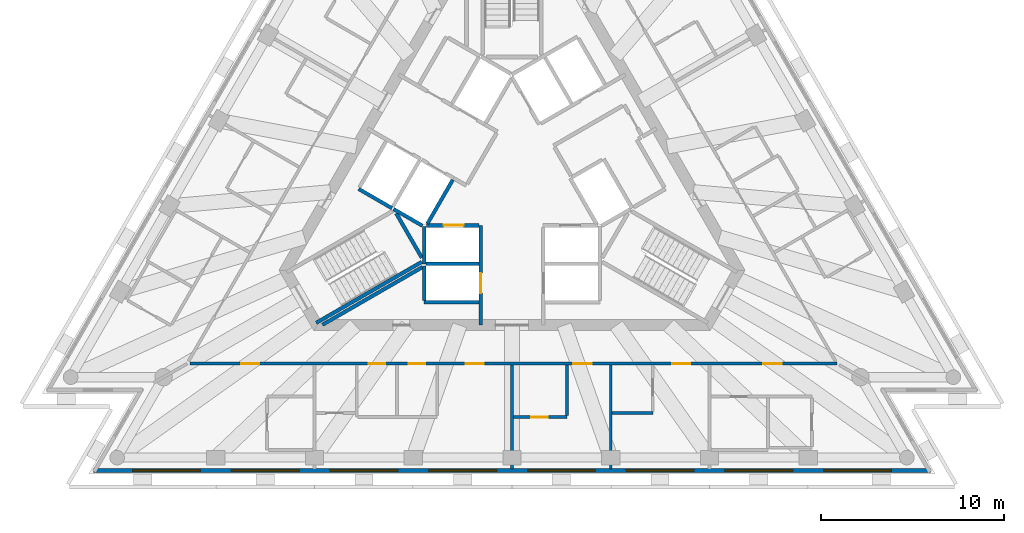
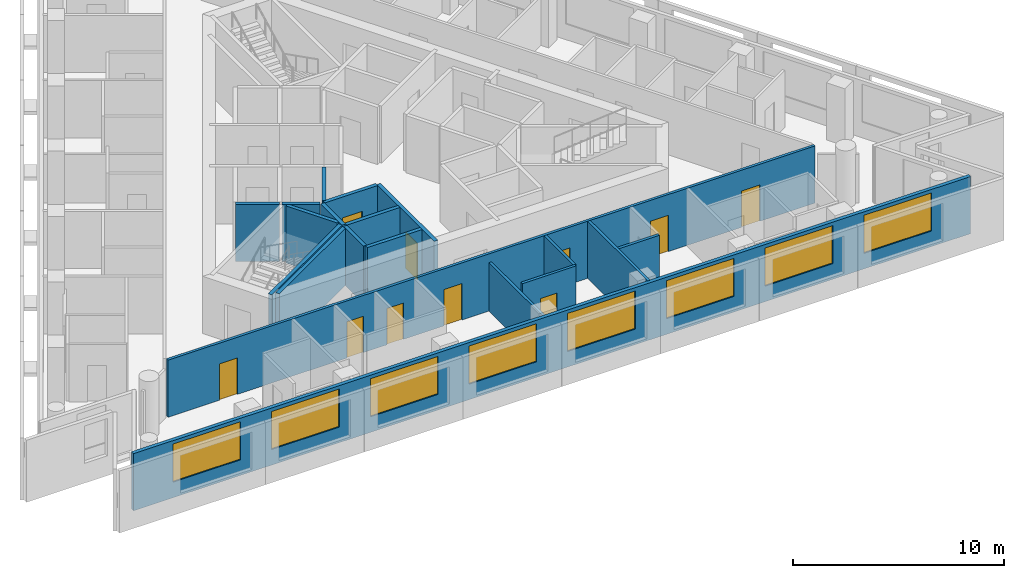
# One storey, part 3 of 10: 19 walls, 10 doors, 8 windows, 18 openings.
"""IFC4 building model written with IfcOpenShell, lengths in metres."""

from ifc_helpers import new_model, si_unit, direction, frame, frame_2d, origin, place, context, subcontext, project, spatial, rectangle, extrude, material, layer, layer_set, layer_usage, type_object, element, fill, save


model = new_model("IFC4")

# Units and contexts
model_context = context("Model", 3, precision=1e-05, world=origin(), true_north=direction((0.0, 1.0)))
body_context = subcontext(model_context, "Body", "Model", "MODEL_VIEW")
ifc_project = project(units=[si_unit("LENGTHUNIT", "METRE"), si_unit("AREAUNIT", "SQUARE_METRE"), si_unit("VOLUMEUNIT", "CUBIC_METRE"), si_unit("PLANEANGLEUNIT", "RADIAN"), si_unit("MASSUNIT", "GRAM", prefix="KILO")], contexts=[model_context])

# Site, building, storey
site_placement = place(None, origin())
site = spatial("IfcSite", under=ifc_project, at=site_placement, CompositionType="ELEMENT")
building_placement = place(site_placement, origin())
building = spatial("IfcBuilding", under=site, at=building_placement, Name="Triada Interchange Tower", CompositionType="ELEMENT")
storey_placement = place(building_placement, frame((0.0, 0.0, 293.5)))
storey = spatial("IfcBuildingStorey", under=building, at=storey_placement, Name="L69", CompositionType="ELEMENT", Elevation=293.5)

# Walls
ifc_material_1 = material(Name="Concrete C30/37", Category="concrete")
ifc_layer_1 = layer(ifc_material_1, 0.199951171875)
ifc_layer_set_1 = layer_set([ifc_layer_1], Name="CORE WALL 200 EI 120")
wall_type_1 = type_object("IfcWallType", Name="CORE WALL 200 EI 120", PredefinedType="SOLIDWALL", material=ifc_layer_set_1)
wall_1_placement = place(storey_placement, frame((-8.3759765625, -0.70703125, 0.0), z_axis=(0.0, 0.0, 1.0), x_axis=(0.866067520717, -0.499927044236, 0.0)))
element("IfcWall", 1, at=wall_1_placement, inside=storey, type_object=wall_type_1, Name="Wall L68 66", PredefinedType="SOLIDWALL", context=body_context, shape_type="SweptSolid", body=[
    extrude(rectangle(XDim=2.100341796875, YDim=0.199951171875, at=frame_2d((1.05029296875, 0.0))), origin(), (0.0, 0.0, 1.0), 3.300048828125),
])
wall_2_placement = place(storey_placement, frame((-4.800048828125, -6.89990234375, 0.0), z_axis=(0.0, 0.0, 1.0), x_axis=(1.0, 0.0, 0.0)))
element("IfcWall", 2, at=wall_2_placement, inside=storey, type_object=wall_type_1, Name="Wall L68 68", PredefinedType="SOLIDWALL", context=body_context, shape_type="SweptSolid", body=[
    extrude(rectangle(XDim=3.0, YDim=0.199951171875, at=frame_2d((1.5, 0.0))), origin(), (0.0, 0.0, 1.0), 3.300048828125),
])
wall_3_placement = place(storey_placement, frame((-4.800048828125, -6.800048828125, 0.0), z_axis=(0.0, 0.0, 1.0), x_axis=(0.0, 1.0, 0.0)))
element("IfcWall", 3, at=wall_3_placement, inside=storey, type_object=wall_type_1, Name="Wall L68 70", PredefinedType="SOLIDWALL", context=body_context, shape_type="SweptSolid", body=[
    extrude(rectangle(XDim=1.880126953125, YDim=0.199951171875, at=frame_2d((0.93994140625, 0.0))), origin(), (0.0, 0.0, 1.0), 3.300048828125),
])
wall_4_placement = place(storey_placement, frame((-4.800048828125, -4.800048828125, 0.0), z_axis=(0.0, 0.0, 1.0), x_axis=(0.0, 1.0, 0.0)))
element("IfcWall", 4, at=wall_4_placement, inside=storey, type_object=wall_type_1, Name="Wall L68 71", PredefinedType="SOLIDWALL", context=body_context, shape_type="SweptSolid", body=[
    extrude(rectangle(XDim=2.031005859375, YDim=0.199951171875, at=frame_2d((1.015625, 0.0))), origin(), (0.0, 0.0, 1.0), 3.300048828125),
])
wall_5_placement = place(storey_placement, frame((-4.699951171875, -4.800048828125, 0.0), z_axis=(0.0, 0.0, 1.0), x_axis=(1.0, 0.0, 0.0)))
element("IfcWall", 5, at=wall_5_placement, inside=storey, type_object=wall_type_1, Name="Wall L68 72", PredefinedType="SOLIDWALL", context=body_context, shape_type="SweptSolid", body=[
    extrude(rectangle(XDim=2.89990234375, YDim=0.199951171875, at=frame_2d((1.449951171875, 0.0))), origin(), (0.0, 0.0, 1.0), 3.300048828125),
])

# Wall, opening, door
wall_6_placement = place(storey_placement, frame((-1.699951171875, -8.1298828125, 0.0), z_axis=(0.0, 0.0, 1.0), x_axis=(0.0, 1.0, 0.0)))
wall_6 = element("IfcWall", 6, at=wall_6_placement, inside=storey, type_object=wall_type_1, Name="Wall L68 74", PredefinedType="SOLIDWALL", context=body_context, shape_type="SweptSolid", body=[
    extrude(rectangle(XDim=5.427001953125, YDim=0.199951171875, at=frame_2d((2.71337890625, 0.0))), origin(), (0.0, 0.0, 1.0), 3.300048828125),
])
opening_1_placement = place(wall_6_placement, frame((1.72998046875, 0.0, 0.0)))
opening_1 = element("IfcOpeningElement", 7, at=opening_1_placement, cuts=wall_6, Name="Opening LD-HR4", PredefinedType="OPENING", context=body_context, shape_type="SweptSolid", body=[
    extrude(rectangle(XDim=1.10009765625, YDim=2.10009765625, at=frame_2d((0.550048828125, 1.050048828125))), frame((0.0, 0.10986328125, 0.0), z_axis=(0.0, -1.0, 0.0), x_axis=(1.0, 0.0, 0.0)), (0.0, 0.0, 1.0), 0.219970703125),
])
ifc_material_2 = material(Name="Steel S235 door leaf", Category="steel")
door_type_1 = type_object("IfcDoorType", Name="LIFT LANDING DOOR 1100 EI 120", OperationType="SLIDING_TO_LEFT", PredefinedType="DOOR", material=ifc_material_2)
door_1_placement = place(opening_1_placement, origin())
door_1 = element("IfcDoor", 8, at=door_1_placement, inside=storey, type_object=door_type_1, Name="HR4 landing door L69", OperationType="SLIDING_TO_LEFT", OverallHeight=2.10009765625, OverallWidth=1.10009765625, PredefinedType="DOOR", context=body_context, shape_type="SweptSolid", body=[
    extrude(rectangle(XDim=1.10009765625, YDim=2.10009765625, at=frame_2d((0.550048828125, 1.050048828125))), frame((0.0, 0.02490234375, 0.0), z_axis=(0.0, -1.0, 0.0), x_axis=(1.0, 0.0, 0.0)), (0.0, 0.0, 1.0), 0.050048828125),
])
fill(opening_1, door_1)

wall_7_placement = place(storey_placement, frame((-4.676025390625, -2.699951171875, 0.0), z_axis=(0.0, 0.0, 1.0), x_axis=(1.0, 0.0, 0.0)))
wall_7 = element("IfcWall", 9, at=wall_7_placement, inside=storey, type_object=wall_type_1, Name="Wall L68 75", PredefinedType="SOLIDWALL", context=body_context, shape_type="SweptSolid", body=[
    extrude(rectangle(XDim=2.873046875, YDim=0.199951171875, at=frame_2d((1.4365234375, 0.0))), origin(), (0.0, 0.0, 1.0), 3.300048828125),
])
opening_2_placement = place(wall_7_placement, frame((0.93701171875, 0.0, 0.0)))
opening_2 = element("IfcOpeningElement", 10, at=opening_2_placement, cuts=wall_7, Name="Opening LD-HR3", PredefinedType="OPENING", context=body_context, shape_type="SweptSolid", body=[
    extrude(rectangle(XDim=1.10009765625, YDim=2.10009765625, at=frame_2d((0.550048828125, 1.050048828125))), frame((0.0, 0.10986328125, 0.0), z_axis=(0.0, -1.0, 0.0), x_axis=(1.0, 0.0, 0.0)), (0.0, 0.0, 1.0), 0.219970703125),
])
door_2_placement = place(opening_2_placement, origin())
door_2 = element("IfcDoor", 11, at=door_2_placement, inside=storey, type_object=door_type_1, Name="HR3 landing door L69", OperationType="SLIDING_TO_LEFT", OverallHeight=2.10009765625, OverallWidth=1.10009765625, PredefinedType="DOOR", context=body_context, shape_type="SweptSolid", body=[
    extrude(rectangle(XDim=1.10009765625, YDim=2.10009765625, at=frame_2d((0.550048828125, 1.050048828125))), frame((0.0, 0.02490234375, 0.0), z_axis=(0.0, -1.0, 0.0), x_axis=(1.0, 0.0, 0.0)), (0.0, 0.0, 1.0), 0.050048828125),
])
fill(opening_2, door_2)

# Walls
ifc_layer_2 = layer(ifc_material_1, 0.199951171875)
ifc_layer_set_2 = layer_set([ifc_layer_2], Name="CORE WALL 200 EI 180")
wall_type_2 = type_object("IfcWallType", Name="CORE WALL 200 EI 180", PredefinedType="SOLIDWALL", material=ifc_layer_set_2)
wall_8_placement = place(storey_placement, frame((-6.469970703125, -1.806884765625, 0.0), z_axis=(0.0, 0.0, 1.0), x_axis=(0.865883195159, -0.500246231712, 0.0)))
element("IfcWall", 12, at=wall_8_placement, inside=storey, type_object=wall_type_2, Name="Shaft wall FF1 L68 100", PredefinedType="SOLIDWALL", context=body_context, shape_type="SweptSolid", body=[
    extrude(rectangle(XDim=1.8154296875, YDim=0.199951171875, at=frame_2d((0.90771484375, 0.0))), origin(), (0.0, 0.0, 1.0), 3.300048828125),
])
wall_9_placement = place(storey_placement, frame((-4.618896484375, -2.60009765625, 0.0), z_axis=(0.0, 0.0, 1.0), x_axis=(0.50009492287, 0.865970593103, 0.0)))
element("IfcWall", 13, at=wall_9_placement, inside=storey, type_object=wall_type_2, Name="Shaft wall FF1 L68 102", PredefinedType="SOLIDWALL", context=body_context, shape_type="SweptSolid", body=[
    extrude(rectangle(XDim=2.76123046875, YDim=0.199951171875, at=frame_2d((1.380615234375, 0.0))), origin(), (0.0, 0.0, 1.0), 3.300048828125),
])
ifc_layer_3 = layer(ifc_material_1, 0.199951171875)
ifc_layer_set_3 = layer_set([ifc_layer_3], Name="CORE WALL 200 EI 90")
wall_type_3 = type_object("IfcWallType", Name="CORE WALL 200 EI 90", PredefinedType="SOLIDWALL", material=ifc_layer_set_3)
wall_10_placement = place(storey_placement, frame((-10.35693359375, -8.1298828125, 0.0), z_axis=(0.0, 0.0, 1.0), x_axis=(0.866074613031, 0.499914757397, 0.0)))
element("IfcWall", 14, at=wall_10_placement, inside=storey, type_object=wall_type_3, Name="Wall L68 107", PredefinedType="SOLIDWALL", context=body_context, shape_type="SweptSolid", body=[
    extrude(rectangle(XDim=6.30078125, YDim=0.199951171875, at=frame_2d((3.150390625, 0.0))), origin(), (0.0, 0.0, 1.0), 3.300048828125),
])
ifc_layer_4 = layer(ifc_material_1, 0.199951171875)
ifc_layer_set_4 = layer_set([ifc_layer_4], Name="CORE WALL 200 REI 240")
wall_type_4 = type_object("IfcWallType", Name="CORE WALL 200 REI 240", PredefinedType="SOLIDWALL", material=ifc_layer_set_4)
wall_11_placement = place(storey_placement, frame((-6.3291015625, -2.0380859375, 0.0), z_axis=(0.0, 0.0, 1.0), x_axis=(0.500200581029, -0.865909567298, 0.0)))
element("IfcWall", 15, at=wall_11_placement, inside=storey, type_object=wall_type_4, Name="Wall L68 113", PredefinedType="SOLIDWALL", context=body_context, shape_type="SweptSolid", body=[
    extrude(rectangle(XDim=2.799072265625, YDim=0.199951171875, at=frame_2d((1.3994140625, 0.0))), origin(), (0.0, 0.0, 1.0), 3.300048828125),
])
wall_12_placement = place(storey_placement, frame((-10.700927734375, -8.02587890625, 0.0), z_axis=(0.0, 0.0, 1.0), x_axis=(0.866005022404, 0.500035299925, 0.0)))
element("IfcWall", 16, at=wall_12_placement, inside=storey, type_object=wall_type_4, Name="Wall L68 114", PredefinedType="SOLIDWALL", context=body_context, shape_type="SweptSolid", body=[
    extrude(rectangle(XDim=6.6650390625, YDim=0.199951171875, at=frame_2d((3.33251953125, 0.0))), origin(), (0.0, 0.0, 1.0), 3.300048828125),
])

# Wall, openings, windows
ifc_material_3 = material(Name="Cement board")
ifc_layer_5 = layer(ifc_material_3, 0.02001953125, Name="Cement board cladding")
ifc_material_4 = material(Name="Sheathing board")
ifc_layer_6 = layer(ifc_material_4, 0.014892578125, Name="Sheathing board")
ifc_material_5 = material(Name="Mineral wool")
ifc_layer_7 = layer(ifc_material_5, 0.14990234375, Name="Mineral wool between steel studs")
ifc_material_6 = material(Name="Gypsum board")
ifc_layer_8 = layer(ifc_material_6, 0.014892578125, Name="Plasterboard lining")
ifc_layer_set_5 = layer_set([ifc_layer_5, ifc_layer_6, ifc_layer_7, ifc_layer_8], Name="External wall 200")
ifc_layer_usage = layer_usage(ifc_layer_set_5, "AXIS2", "POSITIVE", -0.10009765625)
wall_type_5 = type_object("IfcWallType", Name="External wall 200", PredefinedType="ELEMENTEDWALL", material=ifc_layer_set_5)
wall_13_placement = place(storey_placement, frame((-22.8798828125, -16.090087890625, 0.0), z_axis=(0.0, 0.0, 1.0), x_axis=(1.0, 0.0, 0.0)))
wall_13 = element("IfcWall", 17, at=wall_13_placement, inside=storey, type_object=wall_type_5, material=ifc_layer_usage, Name="External wall L69 S", PredefinedType="ELEMENTEDWALL", context=body_context, shape_type="SweptSolid", body=[
    extrude(rectangle(XDim=45.739990234375, YDim=0.199951171875, at=frame_2d((22.8701171875, 0.0))), origin(), (0.0, 0.0, 1.0), 3.300048828125),
])
opening_3_placement = place(wall_13_placement, frame((2.14990234375, 0.0, 0.89990234375)))
opening_3 = element("IfcOpeningElement", 18, at=opening_3_placement, cuts=wall_13, Name="Opening WD11", PredefinedType="OPENING", context=body_context, shape_type="SweptSolid", body=[
    extrude(rectangle(XDim=3.699951171875, YDim=2.199951171875, at=frame_2d((1.85009765625, 1.10009765625))), frame((0.0, 0.10986328125, 0.0), z_axis=(0.0, -1.0, 0.0), x_axis=(1.0, 0.0, 0.0)), (0.0, 0.0, 1.0), 0.219970703125),
])
opening_4_placement = place(wall_13_placement, frame((7.5439453125, 0.0, 0.89990234375)))
opening_4 = element("IfcOpeningElement", 19, at=opening_4_placement, cuts=wall_13, Name="Opening WD12", PredefinedType="OPENING", context=body_context, shape_type="SweptSolid", body=[
    extrude(rectangle(XDim=3.699951171875, YDim=2.199951171875, at=frame_2d((1.85009765625, 1.10009765625))), frame((0.0, 0.10986328125, 0.0), z_axis=(0.0, -1.0, 0.0), x_axis=(1.0, 0.0, 0.0)), (0.0, 0.0, 1.0), 0.219970703125),
])
opening_5_placement = place(wall_13_placement, frame((12.93896484375, 0.0, 0.89990234375)))
opening_5 = element("IfcOpeningElement", 20, at=opening_5_placement, cuts=wall_13, Name="Opening WD13", PredefinedType="OPENING", context=body_context, shape_type="SweptSolid", body=[
    extrude(rectangle(XDim=3.699951171875, YDim=2.199951171875, at=frame_2d((1.85009765625, 1.10009765625))), frame((0.0, 0.10986328125, 0.0), z_axis=(0.0, -1.0, 0.0), x_axis=(1.0, 0.0, 0.0)), (0.0, 0.0, 1.0), 0.219970703125),
])
opening_6_placement = place(wall_13_placement, frame((18.3330078125, 0.0, 0.89990234375)))
opening_6 = element("IfcOpeningElement", 21, at=opening_6_placement, cuts=wall_13, Name="Opening WD14", PredefinedType="OPENING", context=body_context, shape_type="SweptSolid", body=[
    extrude(rectangle(XDim=3.699951171875, YDim=2.199951171875, at=frame_2d((1.85009765625, 1.10009765625))), frame((0.0, 0.10986328125, 0.0), z_axis=(0.0, -1.0, 0.0), x_axis=(1.0, 0.0, 0.0)), (0.0, 0.0, 1.0), 0.219970703125),
])
opening_7_placement = place(wall_13_placement, frame((23.72705078125, 0.0, 0.89990234375)))
opening_7 = element("IfcOpeningElement", 22, at=opening_7_placement, cuts=wall_13, Name="Opening WD15", PredefinedType="OPENING", context=body_context, shape_type="SweptSolid", body=[
    extrude(rectangle(XDim=3.699951171875, YDim=2.199951171875, at=frame_2d((1.85009765625, 1.10009765625))), frame((0.0, 0.10986328125, 0.0), z_axis=(0.0, -1.0, 0.0), x_axis=(1.0, 0.0, 0.0)), (0.0, 0.0, 1.0), 0.219970703125),
])
opening_8_placement = place(wall_13_placement, frame((29.12109375, 0.0, 0.89990234375)))
opening_8 = element("IfcOpeningElement", 23, at=opening_8_placement, cuts=wall_13, Name="Opening WD16", PredefinedType="OPENING", context=body_context, shape_type="SweptSolid", body=[
    extrude(rectangle(XDim=3.699951171875, YDim=2.199951171875, at=frame_2d((1.85009765625, 1.10009765625))), frame((0.0, 0.10986328125, 0.0), z_axis=(0.0, -1.0, 0.0), x_axis=(1.0, 0.0, 0.0)), (0.0, 0.0, 1.0), 0.219970703125),
])
opening_9_placement = place(wall_13_placement, frame((34.51611328125, 0.0, 0.89990234375)))
opening_9 = element("IfcOpeningElement", 24, at=opening_9_placement, cuts=wall_13, Name="Opening WD17", PredefinedType="OPENING", context=body_context, shape_type="SweptSolid", body=[
    extrude(rectangle(XDim=3.699951171875, YDim=2.199951171875, at=frame_2d((1.85009765625, 1.10009765625))), frame((0.0, 0.10986328125, 0.0), z_axis=(0.0, -1.0, 0.0), x_axis=(1.0, 0.0, 0.0)), (0.0, 0.0, 1.0), 0.219970703125),
])
opening_10_placement = place(wall_13_placement, frame((39.909912109375, 0.0, 0.89990234375)))
opening_10 = element("IfcOpeningElement", 25, at=opening_10_placement, cuts=wall_13, Name="Opening WD18", PredefinedType="OPENING", context=body_context, shape_type="SweptSolid", body=[
    extrude(rectangle(XDim=3.699951171875, YDim=2.199951171875, at=frame_2d((1.85009765625, 1.10009765625))), frame((0.0, 0.10986328125, 0.0), z_axis=(0.0, -1.0, 0.0), x_axis=(1.0, 0.0, 0.0)), (0.0, 0.0, 1.0), 0.219970703125),
])
ifc_material_7 = material(Name="Double glazed aluminium window", Category="aluminium")
window_type = type_object("IfcWindowType", Name="Ribbon window D face", PartitioningType="SINGLE_PANEL", PredefinedType="WINDOW", material=ifc_material_7)
window_1_placement = place(opening_3_placement, origin())
window_1 = element("IfcWindow", 26, at=window_1_placement, inside=storey, type_object=window_type, Name="Window L69 S 1", OverallHeight=2.199951171875, OverallWidth=3.699951171875, PartitioningType="SINGLE_PANEL", PredefinedType="WINDOW", context=body_context, shape_type="SweptSolid", body=[
    extrude(rectangle(XDim=3.699951171875, YDim=2.199951171875, at=frame_2d((1.85009765625, 1.10009765625))), frame((0.0, 0.030029296875, 0.0), z_axis=(0.0, -1.0, 0.0), x_axis=(1.0, 0.0, 0.0)), (0.0, 0.0, 1.0), 0.06005859375),
])
fill(opening_3, window_1)
window_2_placement = place(opening_4_placement, origin())
window_2 = element("IfcWindow", 27, at=window_2_placement, inside=storey, type_object=window_type, Name="Window L69 S 2", OverallHeight=2.199951171875, OverallWidth=3.699951171875, PartitioningType="SINGLE_PANEL", PredefinedType="WINDOW", context=body_context, shape_type="SweptSolid", body=[
    extrude(rectangle(XDim=3.699951171875, YDim=2.199951171875, at=frame_2d((1.85009765625, 1.10009765625))), frame((0.0, 0.030029296875, 0.0), z_axis=(0.0, -1.0, 0.0), x_axis=(1.0, 0.0, 0.0)), (0.0, 0.0, 1.0), 0.06005859375),
])
fill(opening_4, window_2)
window_3_placement = place(opening_5_placement, origin())
window_3 = element("IfcWindow", 28, at=window_3_placement, inside=storey, type_object=window_type, Name="Window L69 S 3", OverallHeight=2.199951171875, OverallWidth=3.699951171875, PartitioningType="SINGLE_PANEL", PredefinedType="WINDOW", context=body_context, shape_type="SweptSolid", body=[
    extrude(rectangle(XDim=3.699951171875, YDim=2.199951171875, at=frame_2d((1.85009765625, 1.10009765625))), frame((0.0, 0.030029296875, 0.0), z_axis=(0.0, -1.0, 0.0), x_axis=(1.0, 0.0, 0.0)), (0.0, 0.0, 1.0), 0.06005859375),
])
fill(opening_5, window_3)
window_4_placement = place(opening_6_placement, origin())
window_4 = element("IfcWindow", 29, at=window_4_placement, inside=storey, type_object=window_type, Name="Window L69 S 4", OverallHeight=2.199951171875, OverallWidth=3.699951171875, PartitioningType="SINGLE_PANEL", PredefinedType="WINDOW", context=body_context, shape_type="SweptSolid", body=[
    extrude(rectangle(XDim=3.699951171875, YDim=2.199951171875, at=frame_2d((1.85009765625, 1.10009765625))), frame((0.0, 0.030029296875, 0.0), z_axis=(0.0, -1.0, 0.0), x_axis=(1.0, 0.0, 0.0)), (0.0, 0.0, 1.0), 0.06005859375),
])
fill(opening_6, window_4)
window_5_placement = place(opening_7_placement, origin())
window_5 = element("IfcWindow", 30, at=window_5_placement, inside=storey, type_object=window_type, Name="Window L69 S 5", OverallHeight=2.199951171875, OverallWidth=3.699951171875, PartitioningType="SINGLE_PANEL", PredefinedType="WINDOW", context=body_context, shape_type="SweptSolid", body=[
    extrude(rectangle(XDim=3.699951171875, YDim=2.199951171875, at=frame_2d((1.85009765625, 1.10009765625))), frame((0.0, 0.030029296875, 0.0), z_axis=(0.0, -1.0, 0.0), x_axis=(1.0, 0.0, 0.0)), (0.0, 0.0, 1.0), 0.06005859375),
])
fill(opening_7, window_5)
window_6_placement = place(opening_8_placement, origin())
window_6 = element("IfcWindow", 31, at=window_6_placement, inside=storey, type_object=window_type, Name="Window L69 S 6", OverallHeight=2.199951171875, OverallWidth=3.699951171875, PartitioningType="SINGLE_PANEL", PredefinedType="WINDOW", context=body_context, shape_type="SweptSolid", body=[
    extrude(rectangle(XDim=3.699951171875, YDim=2.199951171875, at=frame_2d((1.85009765625, 1.10009765625))), frame((0.0, 0.030029296875, 0.0), z_axis=(0.0, -1.0, 0.0), x_axis=(1.0, 0.0, 0.0)), (0.0, 0.0, 1.0), 0.06005859375),
])
fill(opening_8, window_6)
window_7_placement = place(opening_9_placement, origin())
window_7 = element("IfcWindow", 32, at=window_7_placement, inside=storey, type_object=window_type, Name="Window L69 S 7", OverallHeight=2.199951171875, OverallWidth=3.699951171875, PartitioningType="SINGLE_PANEL", PredefinedType="WINDOW", context=body_context, shape_type="SweptSolid", body=[
    extrude(rectangle(XDim=3.699951171875, YDim=2.199951171875, at=frame_2d((1.85009765625, 1.10009765625))), frame((0.0, 0.030029296875, 0.0), z_axis=(0.0, -1.0, 0.0), x_axis=(1.0, 0.0, 0.0)), (0.0, 0.0, 1.0), 0.06005859375),
])
fill(opening_9, window_7)
window_8_placement = place(opening_10_placement, origin())
window_8 = element("IfcWindow", 33, at=window_8_placement, inside=storey, type_object=window_type, Name="Window L69 S 8", OverallHeight=2.199951171875, OverallWidth=3.699951171875, PartitioningType="SINGLE_PANEL", PredefinedType="WINDOW", context=body_context, shape_type="SweptSolid", body=[
    extrude(rectangle(XDim=3.699951171875, YDim=2.199951171875, at=frame_2d((1.85009765625, 1.10009765625))), frame((0.0, 0.030029296875, 0.0), z_axis=(0.0, -1.0, 0.0), x_axis=(1.0, 0.0, 0.0)), (0.0, 0.0, 1.0), 0.06005859375),
])
fill(opening_10, window_8)

# Wall, openings, doors
ifc_material_8 = material(Name="Gypsum board partition")
ifc_layer_9 = layer(ifc_material_8, 0.14990234375)
ifc_layer_set_6 = layer_set([ifc_layer_9], Name="PARTITION 150 EI 180")
wall_type_6 = type_object("IfcWallType", Name="PARTITION 150 EI 180", PredefinedType="PARTITIONING", material=ifc_layer_set_6)
wall_14_placement = place(storey_placement, frame((-17.60302734375, -10.25, 0.0), z_axis=(0.0, 0.0, 1.0), x_axis=(1.0, 0.0, 0.0)))
wall_14 = element("IfcWall", 34, at=wall_14_placement, inside=storey, type_object=wall_type_6, Name="Wall L68 4", PredefinedType="PARTITIONING", context=body_context, shape_type="SweptSolid", body=[
    extrude(rectangle(XDim=35.35595703125, YDim=0.14990234375, at=frame_2d((17.677978515625, 0.0))), origin(), (0.0, 0.0, 1.0), 3.300048828125),
])
opening_11_placement = place(wall_14_placement, frame((2.800048828125, 0.0, 0.0)))
opening_11 = element("IfcOpeningElement", 35, at=opening_11_placement, cuts=wall_14, Name="Opening D68-11", PredefinedType="OPENING", context=body_context, shape_type="SweptSolid", body=[
    extrude(rectangle(XDim=1.0, YDim=2.10009765625, at=frame_2d((0.5, 1.050048828125))), frame((0.0, 0.0849609375, 0.0), z_axis=(0.0, -1.0, 0.0), x_axis=(1.0, 0.0, 0.0)), (0.0, 0.0, 1.0), 0.169921875),
])
opening_12_placement = place(wall_14_placement, frame((15.06494140625, 0.0, 0.0)))
opening_12 = element("IfcOpeningElement", 36, at=opening_12_placement, cuts=wall_14, Name="Opening D68-13", PredefinedType="OPENING", context=body_context, shape_type="SweptSolid", body=[
    extrude(rectangle(XDim=1.0, YDim=2.10009765625, at=frame_2d((0.5, 1.050048828125))), frame((0.0, 0.0849609375, 0.0), z_axis=(0.0, -1.0, 0.0), x_axis=(1.0, 0.0, 0.0)), (0.0, 0.0, 1.0), 0.169921875),
])
opening_13_placement = place(wall_14_placement, frame((9.764892578125, 0.0, 0.0)))
opening_13 = element("IfcOpeningElement", 37, at=opening_13_placement, cuts=wall_14, Name="Opening D68-15", PredefinedType="OPENING", context=body_context, shape_type="SweptSolid", body=[
    extrude(rectangle(XDim=0.89990234375, YDim=2.10009765625, at=frame_2d((0.449951171875, 1.050048828125))), frame((0.0, 0.0849609375, 0.0), z_axis=(0.0, -1.0, 0.0), x_axis=(1.0, 0.0, 0.0)), (0.0, 0.0, 1.0), 0.169921875),
])
opening_14_placement = place(wall_14_placement, frame((11.965087890625, 0.0, 0.0)))
opening_14 = element("IfcOpeningElement", 38, at=opening_14_placement, cuts=wall_14, Name="Opening D68-16", PredefinedType="OPENING", context=body_context, shape_type="SweptSolid", body=[
    extrude(rectangle(XDim=0.89990234375, YDim=2.10009765625, at=frame_2d((0.449951171875, 1.050048828125))), frame((0.0, 0.0849609375, 0.0), z_axis=(0.0, -1.0, 0.0), x_axis=(1.0, 0.0, 0.0)), (0.0, 0.0, 1.0), 0.169921875),
])
opening_15_placement = place(wall_14_placement, frame((20.952880859375, 0.0, 0.0)))
opening_15 = element("IfcOpeningElement", 39, at=opening_15_placement, cuts=wall_14, Name="Opening D68-17", PredefinedType="OPENING", context=body_context, shape_type="SweptSolid", body=[
    extrude(rectangle(XDim=1.0, YDim=2.10009765625, at=frame_2d((0.5, 1.050048828125))), frame((0.0, 0.0849609375, 0.0), z_axis=(0.0, -1.0, 0.0), x_axis=(1.0, 0.0, 0.0)), (0.0, 0.0, 1.0), 0.169921875),
])
opening_16_placement = place(wall_14_placement, frame((26.346923828125, 0.0, 0.0)))
opening_16 = element("IfcOpeningElement", 40, at=opening_16_placement, cuts=wall_14, Name="Opening D68-19", PredefinedType="OPENING", context=body_context, shape_type="SweptSolid", body=[
    extrude(rectangle(XDim=1.0, YDim=2.10009765625, at=frame_2d((0.5, 1.050048828125))), frame((0.0, 0.0849609375, 0.0), z_axis=(0.0, -1.0, 0.0), x_axis=(1.0, 0.0, 0.0)), (0.0, 0.0, 1.0), 0.169921875),
])
opening_17_placement = place(wall_14_placement, frame((31.342041015625, 0.0, 0.0)))
opening_17 = element("IfcOpeningElement", 41, at=opening_17_placement, cuts=wall_14, Name="Opening D68-21", PredefinedType="OPENING", context=body_context, shape_type="SweptSolid", body=[
    extrude(rectangle(XDim=1.0, YDim=2.10009765625, at=frame_2d((0.5, 1.050048828125))), frame((0.0, 0.0849609375, 0.0), z_axis=(0.0, -1.0, 0.0), x_axis=(1.0, 0.0, 0.0)), (0.0, 0.0, 1.0), 0.169921875),
])
door_type_2 = type_object("IfcDoorType", Name="GUEST ROOM DOOR 1000 EI2 90-C5S200", OperationType="NOTDEFINED", PredefinedType="DOOR", material=ifc_material_2)
door_3_placement = place(opening_11_placement, origin())
door_3 = element("IfcDoor", 42, at=door_3_placement, inside=storey, type_object=door_type_2, Name="Door D68-11 L69", OperationType="SINGLE_SWING_RIGHT", OverallHeight=2.10009765625, OverallWidth=1.0, PredefinedType="DOOR", context=body_context, shape_type="SweptSolid", body=[
    extrude(rectangle(XDim=1.0, YDim=2.10009765625, at=frame_2d((0.5, 1.050048828125))), frame((0.0, 0.02490234375, 0.0), z_axis=(0.0, -1.0, 0.0), x_axis=(1.0, 0.0, 0.0)), (0.0, 0.0, 1.0), 0.050048828125),
])
fill(opening_11, door_3)
door_4_placement = place(opening_12_placement, origin())
door_4 = element("IfcDoor", 43, at=door_4_placement, inside=storey, type_object=door_type_2, Name="Door D68-13 L69", OperationType="SINGLE_SWING_RIGHT", OverallHeight=2.10009765625, OverallWidth=1.0, PredefinedType="DOOR", context=body_context, shape_type="SweptSolid", body=[
    extrude(rectangle(XDim=1.0, YDim=2.10009765625, at=frame_2d((0.5, 1.050048828125))), frame((0.0, 0.02490234375, 0.0), z_axis=(0.0, -1.0, 0.0), x_axis=(1.0, 0.0, 0.0)), (0.0, 0.0, 1.0), 0.050048828125),
])
fill(opening_12, door_4)
door_5_placement = place(opening_15_placement, origin())
door_5 = element("IfcDoor", 44, at=door_5_placement, inside=storey, type_object=door_type_2, Name="Door D68-17 L69", OperationType="SINGLE_SWING_LEFT", OverallHeight=2.10009765625, OverallWidth=1.0, PredefinedType="DOOR", context=body_context, shape_type="SweptSolid", body=[
    extrude(rectangle(XDim=1.0, YDim=2.10009765625, at=frame_2d((0.5, 1.050048828125))), frame((0.0, 0.02490234375, 0.0), z_axis=(0.0, -1.0, 0.0), x_axis=(1.0, 0.0, 0.0)), (0.0, 0.0, 1.0), 0.050048828125),
])
fill(opening_15, door_5)
door_6_placement = place(opening_16_placement, origin())
door_6 = element("IfcDoor", 45, at=door_6_placement, inside=storey, type_object=door_type_2, Name="Door D68-19 L69", OperationType="SINGLE_SWING_RIGHT", OverallHeight=2.10009765625, OverallWidth=1.0, PredefinedType="DOOR", context=body_context, shape_type="SweptSolid", body=[
    extrude(rectangle(XDim=1.0, YDim=2.10009765625, at=frame_2d((0.5, 1.050048828125))), frame((0.0, 0.02490234375, 0.0), z_axis=(0.0, -1.0, 0.0), x_axis=(1.0, 0.0, 0.0)), (0.0, 0.0, 1.0), 0.050048828125),
])
fill(opening_16, door_6)
door_7_placement = place(opening_17_placement, origin())
door_7 = element("IfcDoor", 46, at=door_7_placement, inside=storey, type_object=door_type_2, Name="Door D68-21 L69", OperationType="SINGLE_SWING_LEFT", OverallHeight=2.10009765625, OverallWidth=1.0, PredefinedType="DOOR", context=body_context, shape_type="SweptSolid", body=[
    extrude(rectangle(XDim=1.0, YDim=2.10009765625, at=frame_2d((0.5, 1.050048828125))), frame((0.0, 0.02490234375, 0.0), z_axis=(0.0, -1.0, 0.0), x_axis=(1.0, 0.0, 0.0)), (0.0, 0.0, 1.0), 0.050048828125),
])
fill(opening_17, door_7)
door_type_3 = type_object("IfcDoorType", Name="ROOM DOOR 900 EI2 90-C5S200", OperationType="NOTDEFINED", PredefinedType="DOOR", material=ifc_material_2)
door_8_placement = place(opening_14_placement, origin())
door_8 = element("IfcDoor", 47, at=door_8_placement, inside=storey, type_object=door_type_3, Name="Door D68-16 L69", OperationType="SINGLE_SWING_RIGHT", OverallHeight=2.10009765625, OverallWidth=0.89990234375, PredefinedType="DOOR", context=body_context, shape_type="SweptSolid", body=[
    extrude(rectangle(XDim=0.89990234375, YDim=2.10009765625, at=frame_2d((0.449951171875, 1.050048828125))), frame((0.0, 0.02490234375, 0.0), z_axis=(0.0, -1.0, 0.0), x_axis=(1.0, 0.0, 0.0)), (0.0, 0.0, 1.0), 0.050048828125),
])
fill(opening_14, door_8)
door_type_4 = type_object("IfcDoorType", Name="SERVICE DOOR 900 EI2 90-C5S200", OperationType="NOTDEFINED", PredefinedType="DOOR", material=ifc_material_2)
door_9_placement = place(opening_13_placement, origin())
door_9 = element("IfcDoor", 48, at=door_9_placement, inside=storey, type_object=door_type_4, Name="Door D68-15 L69", OperationType="SINGLE_SWING_RIGHT", OverallHeight=2.10009765625, OverallWidth=0.89990234375, PredefinedType="DOOR", context=body_context, shape_type="SweptSolid", body=[
    extrude(rectangle(XDim=0.89990234375, YDim=2.10009765625, at=frame_2d((0.449951171875, 1.050048828125))), frame((0.0, 0.02490234375, 0.0), z_axis=(0.0, -1.0, 0.0), x_axis=(1.0, 0.0, 0.0)), (0.0, 0.0, 1.0), 0.050048828125),
])
fill(opening_13, door_9)

# Walls
wall_15_placement = place(storey_placement, frame((0.0, -16.010009765625, 0.0), z_axis=(0.0, 0.0, 1.0), x_axis=(0.0, 1.0, 0.0)))
element("IfcWall", 49, at=wall_15_placement, inside=storey, type_object=wall_type_6, Name="Wall L68 16", PredefinedType="PARTITIONING", context=body_context, shape_type="SweptSolid", body=[
    extrude(rectangle(XDim=5.68505859375, YDim=0.14990234375, at=frame_2d((2.842529296875, 0.0))), origin(), (0.0, 0.0, 1.0), 2.800048828125),
])
wall_16_placement = place(storey_placement, frame((5.39404296875, -16.010009765625, 0.0), z_axis=(0.0, 0.0, 1.0), x_axis=(0.0, 1.0, 0.0)))
element("IfcWall", 50, at=wall_16_placement, inside=storey, type_object=wall_type_6, Name="Wall L68 19", PredefinedType="PARTITIONING", context=body_context, shape_type="SweptSolid", body=[
    extrude(rectangle(XDim=5.68505859375, YDim=0.14990234375, at=frame_2d((2.842529296875, 0.0))), origin(), (0.0, 0.0, 1.0), 3.300048828125),
])
ifc_layer_10 = layer(ifc_material_8, 0.14990234375)
ifc_layer_set_7 = layer_set([ifc_layer_10], Name="PARTITION 150 EI 90")
wall_type_7 = type_object("IfcWallType", Name="PARTITION 150 EI 90", PredefinedType="PARTITIONING", material=ifc_layer_set_7)
wall_17_placement = place(storey_placement, frame((5.468994140625, -12.949951171875, 0.0), z_axis=(0.0, 0.0, 1.0), x_axis=(1.0, 0.0, 0.0)))
element("IfcWall", 51, at=wall_17_placement, inside=storey, type_object=wall_type_7, Name="Wall L68 47", PredefinedType="PARTITIONING", context=body_context, shape_type="SweptSolid", body=[
    extrude(rectangle(XDim=2.22509765625, YDim=0.14990234375, at=frame_2d((1.112548828125, 0.0))), origin(), (0.0, 0.0, 1.0), 3.300048828125),
])

# Wall, opening, door
wall_18_placement = place(storey_placement, frame((0.074951171875, -13.169921875, 0.0), z_axis=(0.0, 0.0, 1.0), x_axis=(1.0, 0.0, 0.0)))
wall_18 = element("IfcWall", 52, at=wall_18_placement, inside=storey, type_object=wall_type_7, Name="Wall L68 50", PredefinedType="PARTITIONING", context=body_context, shape_type="SweptSolid", body=[
    extrude(rectangle(XDim=2.925048828125, YDim=0.14990234375, at=frame_2d((1.46240234375, 0.0))), origin(), (0.0, 0.0, 1.0), 3.300048828125),
])
opening_18_placement = place(wall_18_placement, frame((0.97509765625, 0.0, 0.0)))
opening_18 = element("IfcOpeningElement", 53, at=opening_18_placement, cuts=wall_18, Name="Opening D68-18", PredefinedType="OPENING", context=body_context, shape_type="SweptSolid", body=[
    extrude(rectangle(XDim=0.89990234375, YDim=2.10009765625, at=frame_2d((0.449951171875, 1.050048828125))), frame((0.0, 0.0849609375, 0.0), z_axis=(0.0, -1.0, 0.0), x_axis=(1.0, 0.0, 0.0)), (0.0, 0.0, 1.0), 0.169921875),
])
door_type_5 = type_object("IfcDoorType", Name="ROOM DOOR 900 EI2 45-C5S200", OperationType="NOTDEFINED", PredefinedType="DOOR", material=ifc_material_2)
door_10_placement = place(opening_18_placement, origin())
door_10 = element("IfcDoor", 54, at=door_10_placement, inside=storey, type_object=door_type_5, Name="Door D68-18 L69", OperationType="SINGLE_SWING_LEFT", OverallHeight=2.10009765625, OverallWidth=0.89990234375, PredefinedType="DOOR", context=body_context, shape_type="SweptSolid", body=[
    extrude(rectangle(XDim=0.89990234375, YDim=2.10009765625, at=frame_2d((0.449951171875, 1.050048828125))), frame((0.0, 0.02490234375, 0.0), z_axis=(0.0, -1.0, 0.0), x_axis=(1.0, 0.0, 0.0)), (0.0, 0.0, 1.0), 0.050048828125),
])
fill(opening_18, door_10)

# Wall
wall_19_placement = place(storey_placement, frame((3.0, -13.094970703125, 0.0), z_axis=(0.0, 0.0, 1.0), x_axis=(0.0, 1.0, 0.0)))
element("IfcWall", 55, at=wall_19_placement, inside=storey, type_object=wall_type_7, Name="Wall L68 51", PredefinedType="PARTITIONING", context=body_context, shape_type="SweptSolid", body=[
    extrude(rectangle(XDim=2.77001953125, YDim=0.14990234375, at=frame_2d((1.385009765625, 0.0))), origin(), (0.0, 0.0, 1.0), 3.300048828125),
])

save(model, "model.ifc")
